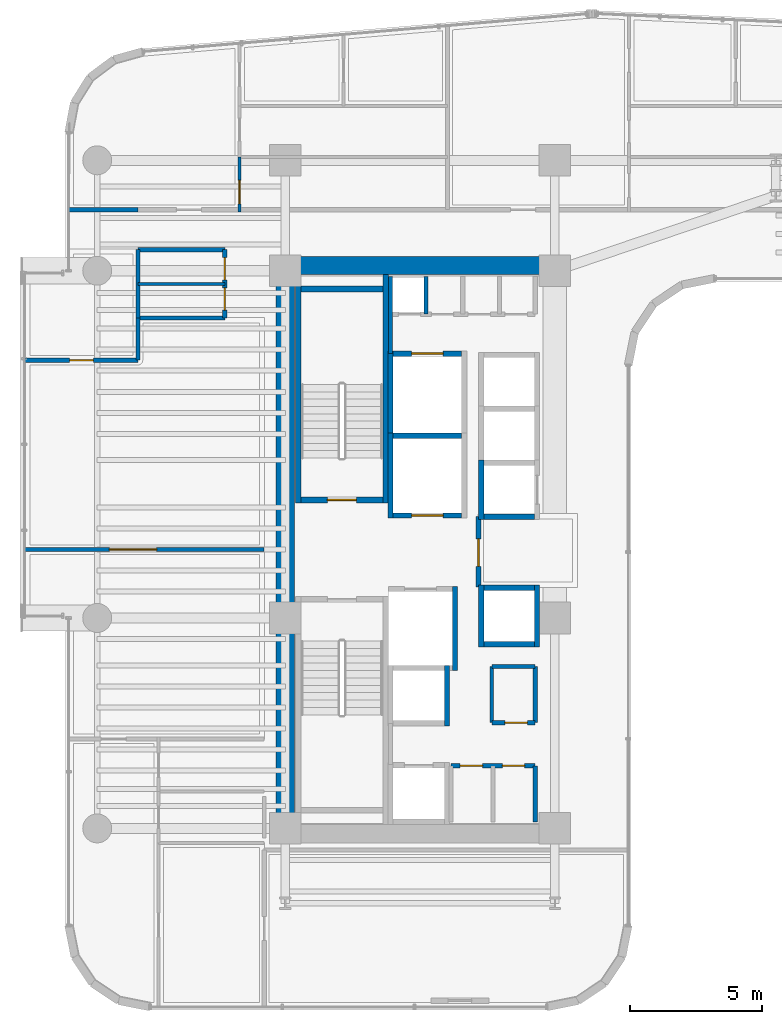
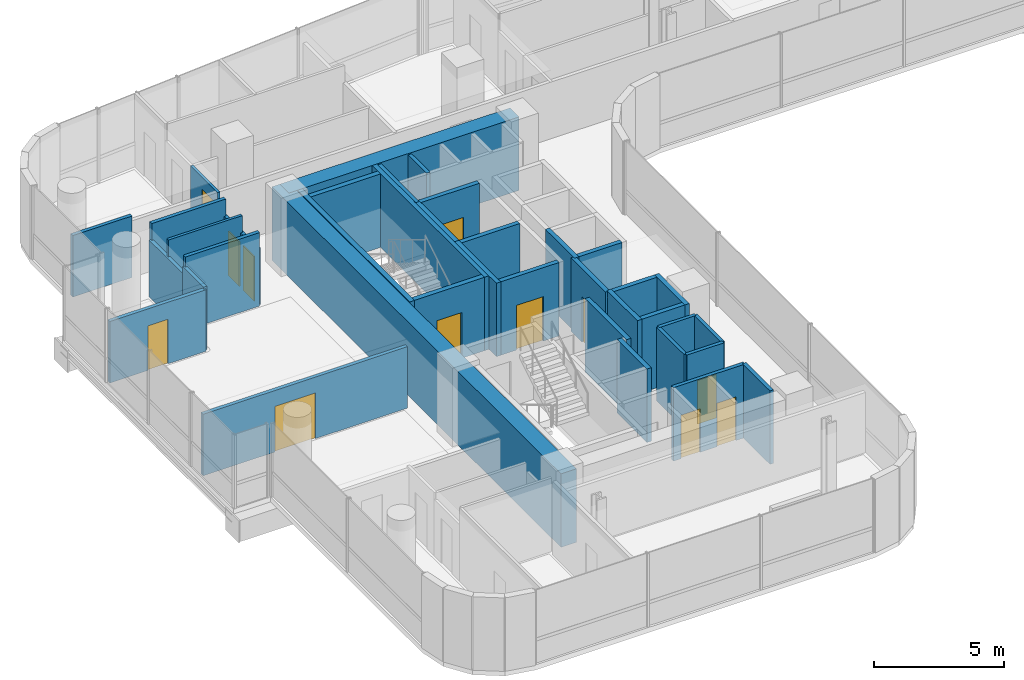
# One storey, part 27 of 36: 38 walls, 12 doors, 12 openings.
"""IFC4 building model written with IfcOpenShell, lengths in metres."""

from ifc_helpers import new_model, si_unit, direction, frame, frame_2d, origin, place, context, subcontext, project, spatial, rectangle, extrude, material, layer, layer_set, type_object, element, fill, save


model = new_model("IFC4")

# Units and contexts
model_context = context("Model", 3, precision=1e-05, world=origin(), true_north=direction((0.0, 1.0)))
body_context = subcontext(model_context, "Body", "Model", "MODEL_VIEW")
ifc_project = project(units=[si_unit("LENGTHUNIT", "METRE"), si_unit("AREAUNIT", "SQUARE_METRE"), si_unit("VOLUMEUNIT", "CUBIC_METRE"), si_unit("PLANEANGLEUNIT", "RADIAN"), si_unit("MASSUNIT", "GRAM", prefix="KILO")], contexts=[model_context])

# Site, building, storey
site_placement = place(None, origin())
site = spatial("IfcSite", under=ifc_project, at=site_placement, CompositionType="ELEMENT")
building_placement = place(site_placement, origin())
building = spatial("IfcBuilding", under=site, at=building_placement, Name="Valdorenza Pilgrim Sanctuary Tower", CompositionType="ELEMENT")
storey_placement = place(building_placement, frame((0.0, 0.0, 109.39990234375)))
storey = spatial("IfcBuildingStorey", under=building, at=storey_placement, Name="L27", CompositionType="ELEMENT", Elevation=109.39990234375)

# Walls
ifc_material_1 = material(Name="Acoustic twin-stud gypsum partition", Category="gypsum")
ifc_layer_1 = layer(ifc_material_1, 0.159912109375, Name="Acoustic twin-stud gypsum partition")
ifc_layer_set_1 = layer_set([ifc_layer_1], Name="Acoustic twin-stud gypsum partition")
wall_type_1 = type_object("IfcWallType", Name="WAL-COR-160", PredefinedType="PARTITIONING", material=ifc_layer_set_1)
wall_1_placement = place(storey_placement, frame((-18.64990234375, 7.449951171875, 0.0), z_axis=(0.0, 0.0, 1.0), x_axis=(0.0, 1.0, 0.0)))
element("IfcWall", 1, at=wall_1_placement, inside=storey, type_object=wall_type_1, Name="L27 Core A North Service West Wall", PredefinedType="PARTITIONING", context=body_context, shape_type="SweptSolid", body=[
    extrude(rectangle(XDim=2.929931640625, YDim=0.159912109375, at=frame_2d((1.46484375, 0.0))), origin(), (0.0, 0.0, 1.0), 3.460205078125),
])
wall_2_placement = place(storey_placement, frame((-17.300048828125, 8.949951171875, 0.0), z_axis=(0.0, 0.0, 1.0), x_axis=(0.0, 1.0, 0.0)))
element("IfcWall", 2, at=wall_2_placement, inside=storey, type_object=wall_type_1, Name="L27 Core Electrical Riser Wall", PredefinedType="PARTITIONING", context=body_context, shape_type="SweptSolid", body=[
    extrude(rectangle(XDim=1.429931640625, YDim=0.159912109375, at=frame_2d((0.71484375, 0.0))), origin(), (0.0, 0.0, 1.0), 3.460205078125),
])

# Wall, openings, doors
wall_3_placement = place(storey_placement, frame((-16.35009765625, -8.219970703125, 0.0), z_axis=(0.0, 0.0, 1.0), x_axis=(1.0, 0.0, 0.0)))
wall_3 = element("IfcWall", 3, at=wall_3_placement, inside=storey, type_object=wall_type_1, Name="L27 Freed Shaft 1 North Wall", PredefinedType="PARTITIONING", context=body_context, shape_type="SweptSolid", body=[
    extrude(rectangle(XDim=3.2001953125, YDim=0.159912109375, at=frame_2d((1.60009765625, 0.0))), origin(), (0.0, 0.0, 1.0), 3.460205078125),
])
opening_1_placement = place(wall_3_placement, frame((0.35009765625, 0.0, 0.0)))
opening_1 = element("IfcOpeningElement", 4, at=opening_1_placement, cuts=wall_3, Name="Opening DR-RS1", PredefinedType="OPENING", context=body_context, shape_type="SweptSolid", body=[
    extrude(rectangle(XDim=0.85009765625, YDim=2.050048828125, at=frame_2d((0.425048828125, 1.02490234375))), frame((0.0, 0.0947265625, 0.0), z_axis=(0.0, -1.0, 0.0), x_axis=(1.0, 0.0, 0.0)), (0.0, 0.0, 1.0), 0.189697265625),
])
opening_2_placement = place(wall_3_placement, frame((1.949951171875, 0.0, 0.0)))
opening_2 = element("IfcOpeningElement", 5, at=opening_2_placement, cuts=wall_3, Name="Opening DR-RS1", PredefinedType="OPENING", context=body_context, shape_type="SweptSolid", body=[
    extrude(rectangle(XDim=0.85009765625, YDim=2.050048828125, at=frame_2d((0.425048828125, 1.02490234375))), frame((0.0, 0.0947265625, 0.0), z_axis=(0.0, -1.0, 0.0), x_axis=(1.0, 0.0, 0.0)), (0.0, 0.0, 1.0), 0.189697265625),
])
ifc_material_2 = material(Name="Painted galvanized steel", Category="steel")
door_type_1 = type_object("IfcDoorType", Name="DR-RSR-850", OperationType="NOTDEFINED", PredefinedType="DOOR", material=ifc_material_2)
door_1_placement = place(opening_1_placement, origin())
door_1 = element("IfcDoor", 6, at=door_1_placement, inside=storey, type_object=door_type_1, Name="L27 Linen Store Door", OperationType="SINGLE_SWING_LEFT", OverallHeight=2.050048828125, OverallWidth=0.85009765625, PredefinedType="DOOR", context=body_context, shape_type="SweptSolid", body=[
    extrude(rectangle(XDim=0.85009765625, YDim=2.050048828125, at=frame_2d((0.425048828125, 1.02490234375))), frame((0.0, 0.02490234375, 0.0), z_axis=(0.0, -1.0, 0.0), x_axis=(1.0, 0.0, 0.0)), (0.0, 0.0, 1.0), 0.050048828125),
])
fill(opening_1, door_1)
door_2_placement = place(opening_2_placement, origin())
door_2 = element("IfcDoor", 7, at=door_2_placement, inside=storey, type_object=door_type_1, Name="L27 Cot Store Door", OperationType="SINGLE_SWING_RIGHT", OverallHeight=2.050048828125, OverallWidth=0.85009765625, PredefinedType="DOOR", context=body_context, shape_type="SweptSolid", body=[
    extrude(rectangle(XDim=0.85009765625, YDim=2.050048828125, at=frame_2d((0.425048828125, 1.02490234375))), frame((0.0, 0.02490234375, 0.0), z_axis=(0.0, -1.0, 0.0), x_axis=(1.0, 0.0, 0.0)), (0.0, 0.0, 1.0), 0.050048828125),
])
fill(opening_2, door_2)

# Wall
wall_4_placement = place(storey_placement, frame((-13.14990234375, -10.35009765625, 0.0), z_axis=(0.0, 0.0, 1.0), x_axis=(0.0, 1.0, 0.0)))
element("IfcWall", 8, at=wall_4_placement, inside=storey, type_object=wall_type_1, Name="L27 Freed Shaft 1 East Wall", PredefinedType="PARTITIONING", context=body_context, shape_type="SweptSolid", body=[
    extrude(rectangle(XDim=2.130126953125, YDim=0.159912109375, at=frame_2d((1.06494140625, 0.0))), origin(), (0.0, 0.0, 1.0), 3.460205078125),
])

# Wall, opening, door
wall_5_placement = place(storey_placement, frame((-14.800048828125, -6.580078125, 0.0), z_axis=(0.0, 0.0, 1.0), x_axis=(1.0, 0.0, 0.0)))
wall_5 = element("IfcWall", 9, at=wall_5_placement, inside=storey, type_object=wall_type_1, Name="L27 Freed Shaft 2 South Wall", PredefinedType="PARTITIONING", context=body_context, shape_type="SweptSolid", body=[
    extrude(rectangle(XDim=1.650146484375, YDim=0.159912109375, at=frame_2d((0.8251953125, 0.0))), origin(), (0.0, 0.0, 1.0), 3.460205078125),
])
opening_3_placement = place(wall_5_placement, frame((0.5, 0.0, 0.0)))
opening_3 = element("IfcOpeningElement", 10, at=opening_3_placement, cuts=wall_5, Name="Opening DR-RS1", PredefinedType="OPENING", context=body_context, shape_type="SweptSolid", body=[
    extrude(rectangle(XDim=0.85009765625, YDim=2.050048828125, at=frame_2d((0.425048828125, 1.02490234375))), frame((0.0, 0.0947265625, 0.0), z_axis=(0.0, -1.0, 0.0), x_axis=(1.0, 0.0, 0.0)), (0.0, 0.0, 1.0), 0.189697265625),
])
door_3_placement = place(opening_3_placement, origin())
door_3 = element("IfcDoor", 11, at=door_3_placement, inside=storey, type_object=door_type_1, Name="L27 Guest Tea Pantry Door", OperationType="SINGLE_SWING_LEFT", OverallHeight=2.050048828125, OverallWidth=0.85009765625, PredefinedType="DOOR", context=body_context, shape_type="SweptSolid", body=[
    extrude(rectangle(XDim=0.85009765625, YDim=2.050048828125, at=frame_2d((0.425048828125, 1.02490234375))), frame((0.0, 0.02490234375, 0.0), z_axis=(0.0, -1.0, 0.0), x_axis=(1.0, 0.0, 0.0)), (0.0, 0.0, 1.0), 0.050048828125),
])
fill(opening_3, door_3)

# Walls
wall_6_placement = place(storey_placement, frame((-13.14990234375, -6.580078125, 0.0), z_axis=(0.0, 0.0, 1.0), x_axis=(0.0, 1.0, 0.0)))
element("IfcWall", 12, at=wall_6_placement, inside=storey, type_object=wall_type_1, Name="L27 Freed Shaft 2 East Wall", PredefinedType="PARTITIONING", context=body_context, shape_type="SweptSolid", body=[
    extrude(rectangle(XDim=2.130126953125, YDim=0.159912109375, at=frame_2d((1.06494140625, 0.0))), origin(), (0.0, 0.0, 1.0), 3.460205078125),
])
wall_7_placement = place(storey_placement, frame((-28.25, 8.800048828125, 0.0), z_axis=(0.0, 0.0, 1.0), x_axis=(0.0, 1.0, 0.0)))
element("IfcWall", 13, at=wall_7_placement, inside=storey, type_object=wall_type_1, Name="L27 Washroom West Wall", PredefinedType="PARTITIONING", context=body_context, shape_type="SweptSolid", body=[
    extrude(rectangle(XDim=2.599853515625, YDim=0.159912109375, at=frame_2d((1.2998046875, 0.0))), origin(), (0.0, 0.0, 1.0), 2.666015625),
])

# Wall, openings, doors
wall_8_placement = place(storey_placement, frame((-24.949951171875, 8.800048828125, 0.0), z_axis=(0.0, 0.0, 1.0), x_axis=(0.0, 1.0, 0.0)))
wall_8 = element("IfcWall", 14, at=wall_8_placement, inside=storey, type_object=wall_type_1, Name="L27 Washroom East Wall", PredefinedType="PARTITIONING", context=body_context, shape_type="SweptSolid", body=[
    extrude(rectangle(XDim=2.599853515625, YDim=0.159912109375, at=frame_2d((1.2998046875, 0.0))), origin(), (0.0, 0.0, 1.0), 2.666015625),
])
opening_4_placement = place(wall_8_placement, frame((0.300048828125, 0.0, 0.0)))
opening_4 = element("IfcOpeningElement", 15, at=opening_4_placement, cuts=wall_8, Name="Opening DR-WC1", PredefinedType="OPENING", context=body_context, shape_type="SweptSolid", body=[
    extrude(rectangle(XDim=0.85009765625, YDim=2.10009765625, at=frame_2d((0.425048828125, 1.050048828125))), frame((0.0, 0.0947265625, 0.0), z_axis=(0.0, -1.0, 0.0), x_axis=(1.0, 0.0, 0.0)), (0.0, 0.0, 1.0), 0.189697265625),
])
opening_5_placement = place(wall_8_placement, frame((1.449951171875, 0.0, 0.0)))
opening_5 = element("IfcOpeningElement", 16, at=opening_5_placement, cuts=wall_8, Name="Opening DR-WC1", PredefinedType="OPENING", context=body_context, shape_type="SweptSolid", body=[
    extrude(rectangle(XDim=0.85009765625, YDim=2.10009765625, at=frame_2d((0.425048828125, 1.050048828125))), frame((0.0, 0.0947265625, 0.0), z_axis=(0.0, -1.0, 0.0), x_axis=(1.0, 0.0, 0.0)), (0.0, 0.0, 1.0), 0.189697265625),
])
ifc_material_3 = material(Name="Moisture-resistant lacquered timber", Category="wood")
door_type_2 = type_object("IfcDoorType", Name="DR-BATH-850", OperationType="NOTDEFINED", PredefinedType="DOOR", material=ifc_material_3)
door_4_placement = place(opening_4_placement, origin())
door_4 = element("IfcDoor", 17, at=door_4_placement, inside=storey, type_object=door_type_2, Name="L27 Accessible Washroom Door", OperationType="SINGLE_SWING_RIGHT", OverallHeight=2.10009765625, OverallWidth=0.85009765625, PredefinedType="DOOR", context=body_context, shape_type="SweptSolid", body=[
    extrude(rectangle(XDim=0.85009765625, YDim=2.10009765625, at=frame_2d((0.425048828125, 1.050048828125))), frame((0.0, 0.02490234375, 0.0), z_axis=(0.0, -1.0, 0.0), x_axis=(1.0, 0.0, 0.0)), (0.0, 0.0, 1.0), 0.050048828125),
])
fill(opening_4, door_4)
door_5_placement = place(opening_5_placement, origin())
door_5 = element("IfcDoor", 18, at=door_5_placement, inside=storey, type_object=door_type_2, Name="L27 Public Washroom Door", OperationType="SINGLE_SWING_LEFT", OverallHeight=2.10009765625, OverallWidth=0.85009765625, PredefinedType="DOOR", context=body_context, shape_type="SweptSolid", body=[
    extrude(rectangle(XDim=0.85009765625, YDim=2.10009765625, at=frame_2d((0.425048828125, 1.050048828125))), frame((0.0, 0.02490234375, 0.0), z_axis=(0.0, -1.0, 0.0), x_axis=(1.0, 0.0, 0.0)), (0.0, 0.0, 1.0), 0.050048828125),
])
fill(opening_5, door_5)

# Walls
for number, where, z_axis, x_axis, name in (
    (19, (-28.25, 8.800048828125, 0.0), (0.0, 0.0, 1.0), (1.0, 0.0, 0.0), "L27 Washroom South Wall"),
    (20, (-28.25, 11.39990234375, 0.0), (0.0, 0.0, 1.0), (1.0, 0.0, 0.0), "L27 Washroom North Wall"),
):
    element("IfcWall", number, at=place(storey_placement, frame(where, z_axis=z_axis, x_axis=x_axis)), inside=storey, type_object=wall_type_1, Name=name, PredefinedType="PARTITIONING", context=body_context, shape_type="SweptSolid", body=[
        extrude(rectangle(XDim=3.300048828125, YDim=0.159912109375, at=frame_2d((1.64990234375, 0.0))), origin(), (0.0, 0.0, 1.0), 3.460205078125),
    ])

# Wall, opening, door
wall_9_placement = place(storey_placement, frame((-32.5400390625, 7.199951171875, 0.0), z_axis=(0.0, 0.0, 1.0), x_axis=(1.0, 0.0, 0.0)))
wall_9 = element("IfcWall", 21, at=wall_9_placement, inside=storey, type_object=wall_type_1, Name="L27 Cloister North Room Wall", PredefinedType="PARTITIONING", context=body_context, shape_type="SweptSolid", body=[
    extrude(rectangle(XDim=4.2900390625, YDim=0.159912109375, at=frame_2d((2.14501953125, 0.0))), origin(), (0.0, 0.0, 1.0), 2.89599609375),
])
opening_6_placement = place(wall_9_placement, frame((1.695068359375, 0.0, 0.0)))
opening_6 = element("IfcOpeningElement", 22, at=opening_6_placement, cuts=wall_9, Name="Opening DR-RM1", PredefinedType="OPENING", context=body_context, shape_type="SweptSolid", body=[
    extrude(rectangle(XDim=0.89990234375, YDim=2.10009765625, at=frame_2d((0.449951171875, 1.050048828125))), frame((0.0, 0.0947265625, 0.0), z_axis=(0.0, -1.0, 0.0), x_axis=(1.0, 0.0, 0.0)), (0.0, 0.0, 1.0), 0.189697265625),
])
ifc_material_4 = material(Name="Solid-core European oak timber", Category="wood")
door_type_3 = type_object("IfcDoorType", Name="DR-ROOM-900", OperationType="NOTDEFINED", PredefinedType="DOOR", material=ifc_material_4)
door_6_placement = place(opening_6_placement, origin())
door_6 = element("IfcDoor", 23, at=door_6_placement, inside=storey, type_object=door_type_3, Name="L27 Pilgrim Scholar Office L27-1 Door", OperationType="SINGLE_SWING_RIGHT", OverallHeight=2.10009765625, OverallWidth=0.89990234375, PredefinedType="DOOR", context=body_context, shape_type="SweptSolid", body=[
    extrude(rectangle(XDim=0.89990234375, YDim=2.10009765625, at=frame_2d((0.449951171875, 1.050048828125))), frame((0.0, 0.02490234375, 0.0), z_axis=(0.0, -1.0, 0.0), x_axis=(1.0, 0.0, 0.0)), (0.0, 0.0, 1.0), 0.050048828125),
])
fill(opening_6, door_6)

# Wall
wall_10_placement = place(storey_placement, frame((-28.25, 7.199951171875, 0.0), z_axis=(0.0, 0.0, 1.0), x_axis=(0.0, 1.0, 0.0)))
element("IfcWall", 24, at=wall_10_placement, inside=storey, type_object=wall_type_1, Name="L27 Cloister NE Closure", PredefinedType="PARTITIONING", context=body_context, shape_type="SweptSolid", body=[
    extrude(rectangle(XDim=1.60009765625, YDim=0.159912109375, at=frame_2d((0.800048828125, 0.0))), origin(), (0.0, 0.0, 1.0), 2.988037109375),
])

# Wall, opening, door
wall_11_placement = place(storey_placement, frame((-32.5400390625, 0.0, 0.0), z_axis=(0.0, 0.0, 1.0), x_axis=(1.0, 0.0, 0.0)))
wall_11 = element("IfcWall", 25, at=wall_11_placement, inside=storey, type_object=wall_type_1, Name="L27 Cloister Mid Wall", PredefinedType="PARTITIONING", context=body_context, shape_type="SweptSolid", body=[
    extrude(rectangle(XDim=9.090087890625, YDim=0.159912109375, at=frame_2d((4.544921875, 0.0))), origin(), (0.0, 0.0, 1.0), 2.89599609375),
])
opening_7_placement = place(wall_11_placement, frame((3.199951171875, 0.0, 0.0)))
opening_7 = element("IfcOpeningElement", 26, at=opening_7_placement, cuts=wall_11, Name="Opening DR-HL1", PredefinedType="OPENING", context=body_context, shape_type="SweptSolid", body=[
    extrude(rectangle(XDim=1.800048828125, YDim=2.14990234375, at=frame_2d((0.89990234375, 1.074951171875))), frame((0.0, 0.0947265625, 0.0), z_axis=(0.0, -1.0, 0.0), x_axis=(1.0, 0.0, 0.0)), (0.0, 0.0, 1.0), 0.189697265625),
])
ifc_material_5 = material(Name="Acoustic oak and vision-glass double door", Category="glass")
door_type_4 = type_object("IfcDoorType", Name="DR-HALL-1800", OperationType="NOTDEFINED", PredefinedType="DOOR", material=ifc_material_5)
door_7_placement = place(opening_7_placement, frame((1.800048828125, 0.0, 0.0), z_axis=(0.0, 0.0, 1.0), x_axis=(-1.0, 0.0, 0.0)))
door_7 = element("IfcDoor", 27, at=door_7_placement, inside=storey, type_object=door_type_4, Name="L27 Cloister Mid Double Door", OperationType="DOUBLE_DOOR_SINGLE_SWING", OverallHeight=2.14990234375, OverallWidth=1.800048828125, PredefinedType="DOOR", context=body_context, shape_type="SweptSolid", body=[
    extrude(rectangle(XDim=1.800048828125, YDim=2.14990234375, at=frame_2d((0.89990234375, 1.074951171875))), frame((0.0, 0.02490234375, 0.0), z_axis=(0.0, -1.0, 0.0), x_axis=(1.0, 0.0, 0.0)), (0.0, 0.0, 1.0), 0.050048828125),
])
fill(opening_7, door_7)

# Walls
wall_12_placement = place(storey_placement, frame((-30.889892578125, 12.919921875, 0.0), z_axis=(0.0, 0.0, 1.0), x_axis=(1.0, 0.0, 0.0)))
element("IfcWall", 28, at=wall_12_placement, inside=storey, type_object=wall_type_1, Name="L27 Cloister North Solid Partition", PredefinedType="PARTITIONING", context=body_context, shape_type="SweptSolid", body=[
    extrude(rectangle(XDim=2.639892578125, YDim=0.159912109375, at=frame_2d((1.31982421875, 0.0))), origin(), (0.0, 0.0, 1.0), 2.89599609375),
])
ifc_material_6 = material(Name="Concrete C60/75", Category="concrete")
ifc_layer_2 = layer(ifc_material_6, 0.699951171875, Name="Concrete C60/75")
ifc_layer_set_2 = layer_set([ifc_layer_2], Name="Concrete C60/75")
wall_type_2 = type_object("IfcWallType", Name="WAL-COR-700", PredefinedType="SHEAR", material=ifc_layer_set_2)
wall_13_placement = place(storey_placement, frame((-22.64990234375, -11.14990234375, 0.0), z_axis=(0.0, 0.0, 1.0), x_axis=(0.0, 1.0, 0.0)))
element("IfcWall", 29, at=wall_13_placement, inside=storey, type_object=wall_type_2, Name="L27 Split Core A Shear Wall W", PredefinedType="SHEAR", context=body_context, shape_type="SweptSolid", body=[
    extrude(rectangle(XDim=22.2998046875, YDim=0.699951171875, at=frame_2d((11.14990234375, 0.0))), origin(), (0.0, 0.0, 1.0), 3.460205078125),
])
wall_14_placement = place(storey_placement, frame((-22.64990234375, 10.800048828125, 0.0), z_axis=(0.0, 0.0, 1.0), x_axis=(1.0, 0.0, 0.0)))
element("IfcWall", 30, at=wall_14_placement, inside=storey, type_object=wall_type_2, Name="L27 Split Core A Shear Wall N", PredefinedType="SHEAR", context=body_context, shape_type="SweptSolid", body=[
    extrude(rectangle(XDim=10.25, YDim=0.699951171875, at=frame_2d((5.125, 0.0))), origin(), (0.0, 0.0, 1.0), 3.460205078125),
])

# Wall, opening, door
ifc_material_7 = material(Name="Gypsum shaftwall partition", Category="gypsum")
ifc_layer_3 = layer(ifc_material_7, 0.199951171875, Name="Gypsum shaftwall partition")
ifc_layer_set_3 = layer_set([ifc_layer_3], Name="Gypsum shaftwall partition")
wall_type_3 = type_object("IfcWallType", Name="WAL-FFL-200", PredefinedType="PARTITIONING", material=ifc_layer_set_3)
wall_15_placement = place(storey_placement, frame((-15.300048828125, -1.419921875, 0.0), z_axis=(0.0, 0.0, 1.0), x_axis=(0.0, 1.0, 0.0)))
wall_15 = element("IfcWall", 31, at=wall_15_placement, inside=storey, type_object=wall_type_3, Name="L27 Core A Firefighting Lobby East Wall", PredefinedType="PARTITIONING", context=body_context, shape_type="SweptSolid", body=[
    extrude(rectangle(XDim=2.669921875, YDim=0.199951171875, at=frame_2d((1.3349609375, 0.0))), origin(), (0.0, 0.0, 1.0), 3.460205078125),
])
opening_8_placement = place(wall_15_placement, frame((0.780029296875, 0.0, 0.0)))
opening_8 = element("IfcOpeningElement", 32, at=opening_8_placement, cuts=wall_15, Name="Opening DR-FL1", PredefinedType="OPENING", context=body_context, shape_type="SweptSolid", body=[
    extrude(rectangle(XDim=1.050048828125, YDim=2.14990234375, at=frame_2d((0.52490234375, 1.074951171875))), frame((0.0, 0.11474609375, 0.0), z_axis=(0.0, -1.0, 0.0), x_axis=(1.0, 0.0, 0.0)), (0.0, 0.0, 1.0), 0.229736328125),
])
door_type_5 = type_object("IfcDoorType", Name="DR-FFL-1050", OperationType="NOTDEFINED", PredefinedType="DOOR", material=ifc_material_2)
door_8_placement = place(opening_8_placement, origin())
door_8 = element("IfcDoor", 33, at=door_8_placement, inside=storey, type_object=door_type_5, Name="L27 Core A Firefighting Lobby Door", OperationType="SINGLE_SWING_RIGHT", OverallHeight=2.14990234375, OverallWidth=1.050048828125, PredefinedType="DOOR", context=body_context, shape_type="SweptSolid", body=[
    extrude(rectangle(XDim=1.050048828125, YDim=2.14990234375, at=frame_2d((0.52490234375, 1.074951171875))), frame((0.0, 0.02490234375, 0.0), z_axis=(0.0, -1.0, 0.0), x_axis=(1.0, 0.0, 0.0)), (0.0, 0.0, 1.0), 0.050048828125),
])
fill(opening_8, door_8)

# Wall
ifc_material_8 = material(Name="Moisture-resistant gypsum partition", Category="gypsum")
ifc_layer_4 = layer(ifc_material_8, 0.1201171875, Name="Moisture-resistant gypsum partition")
ifc_layer_set_4 = layer_set([ifc_layer_4], Name="Moisture-resistant gypsum partition")
wall_type_4 = type_object("IfcWallType", Name="WAL-INT-120", PredefinedType="PARTITIONING", material=ifc_layer_set_4)
wall_16_placement = place(storey_placement, frame((-28.25, 10.10009765625, 0.0), z_axis=(0.0, 0.0, 1.0), x_axis=(1.0, 0.0, 0.0)))
element("IfcWall", 34, at=wall_16_placement, inside=storey, type_object=wall_type_4, Name="L27 Washroom Divider Wall", PredefinedType="PARTITIONING", context=body_context, shape_type="SweptSolid", body=[
    extrude(rectangle(XDim=3.300048828125, YDim=0.1201171875, at=frame_2d((1.64990234375, 0.0))), origin(), (0.0, 0.0, 1.0), 3.460205078125),
])

# Wall, opening, door
wall_17_placement = place(storey_placement, frame((-24.38720703125, 12.840087890625, 0.0), z_axis=(0.0, 0.0, 1.0), x_axis=(0.0, 1.0, 0.0)))
wall_17 = element("IfcWall", 35, at=wall_17_placement, inside=storey, type_object=wall_type_4, Name="L27 North Family Flat L27-N1 Kitchen Door Wall", PredefinedType="PARTITIONING", context=body_context, shape_type="SweptSolid", body=[
    extrude(rectangle(XDim=2.079833984375, YDim=0.1201171875, at=frame_2d((1.0400390625, 0.0))), origin(), (0.0, 0.0, 1.0), 2.666015625),
])
opening_9_placement = place(wall_17_placement, frame((0.300048828125, 0.0, 0.0)))
opening_9 = element("IfcOpeningElement", 36, at=opening_9_placement, cuts=wall_17, Name="Opening DR-RM1", PredefinedType="OPENING", context=body_context, shape_type="SweptSolid", body=[
    extrude(rectangle(XDim=0.89990234375, YDim=2.10009765625, at=frame_2d((0.449951171875, 1.050048828125))), frame((0.0, 0.074951171875, 0.0), z_axis=(0.0, -1.0, 0.0), x_axis=(1.0, 0.0, 0.0)), (0.0, 0.0, 1.0), 0.14990234375),
])
door_9_placement = place(opening_9_placement, origin())
door_9 = element("IfcDoor", 37, at=door_9_placement, inside=storey, type_object=door_type_3, Name="L27 North Family Flat L27-N1 Kitchen Door", OperationType="SINGLE_SWING_LEFT", OverallHeight=2.10009765625, OverallWidth=0.89990234375, PredefinedType="DOOR", context=body_context, shape_type="SweptSolid", body=[
    extrude(rectangle(XDim=0.89990234375, YDim=2.10009765625, at=frame_2d((0.449951171875, 1.050048828125))), frame((0.0, 0.02490234375, 0.0), z_axis=(0.0, -1.0, 0.0), x_axis=(1.0, 0.0, 0.0)), (0.0, 0.0, 1.0), 0.050048828125),
])
fill(opening_9, door_9)

# Wall
ifc_material_9 = material(Name="Autoclaved aerated concrete blockwork", Category="masonry")
ifc_layer_5 = layer(ifc_material_9, 0.199951171875, Name="Autoclaved aerated concrete blockwork")
ifc_layer_set_5 = layer_set([ifc_layer_5], Name="Autoclaved aerated concrete blockwork")
wall_type_5 = type_object("IfcWallType", Name="WAL-SHF-200", PredefinedType="MOVABLE", material=ifc_layer_set_5)
wall_18_placement = place(storey_placement, frame((-18.64990234375, 1.199951171875, 0.0), z_axis=(0.0, 0.0, 1.0), x_axis=(0.0, 1.0, 0.0)))
element("IfcWall", 38, at=wall_18_placement, inside=storey, type_object=wall_type_5, Name="L27 Lift FFL-01 Hoistway Wall West", PredefinedType="MOVABLE", context=body_context, shape_type="SweptSolid", body=[
    extrude(rectangle(XDim=3.22509765625, YDim=0.199951171875, at=frame_2d((1.612548828125, 0.0))), origin(), (0.0, 0.0, 1.0), 3.460205078125),
])

# Wall, opening, door
wall_19_placement = place(storey_placement, frame((-18.550048828125, 1.300048828125, 0.0), z_axis=(0.0, 0.0, 1.0), x_axis=(1.0, 0.0, 0.0)))
wall_19 = element("IfcWall", 39, at=wall_19_placement, inside=storey, type_object=wall_type_5, Name="L27 Lift FFL-01 Hoistway Wall South", PredefinedType="MOVABLE", context=body_context, shape_type="SweptSolid", body=[
    extrude(rectangle(XDim=2.60009765625, YDim=0.199951171875, at=frame_2d((1.300048828125, 0.0))), origin(), (0.0, 0.0, 1.0), 3.460205078125),
])
opening_10_placement = place(wall_19_placement, frame((0.699951171875, 0.0, 0.0)))
opening_10 = element("IfcOpeningElement", 40, at=opening_10_placement, cuts=wall_19, Name="Opening LD-02", PredefinedType="OPENING", context=body_context, shape_type="SweptSolid", body=[
    extrude(rectangle(XDim=1.199951171875, YDim=2.10009765625, at=frame_2d((0.60009765625, 1.050048828125))), frame((0.0, 0.11474609375, 0.0), z_axis=(0.0, -1.0, 0.0), x_axis=(1.0, 0.0, 0.0)), (0.0, 0.0, 1.0), 0.229736328125),
])
ifc_material_10 = material(Name="Brushed stainless steel Grade 316", Category="steel")
door_type_6 = type_object("IfcDoorType", Name="DR-LFT-1200", OperationType="DOUBLE_DOOR_SLIDING", PredefinedType="DOOR", material=ifc_material_10)
door_10_placement = place(opening_10_placement, origin())
door_10 = element("IfcDoor", 41, at=door_10_placement, inside=storey, type_object=door_type_6, Name="L27 Lift FFL-01 Sliding Landing Door", OperationType="DOUBLE_DOOR_SLIDING", OverallHeight=2.10009765625, OverallWidth=1.199951171875, PredefinedType="DOOR", context=body_context, shape_type="SweptSolid", body=[
    extrude(rectangle(XDim=1.199951171875, YDim=2.10009765625, at=frame_2d((0.60009765625, 1.050048828125))), frame((0.0, 0.02490234375, 0.0), z_axis=(0.0, -1.0, 0.0), x_axis=(1.0, 0.0, 0.0)), (0.0, 0.0, 1.0), 0.050048828125),
])
fill(opening_10, door_10)

# Walls
wall_20_placement = place(storey_placement, frame((-18.550048828125, 4.324951171875, 0.0), z_axis=(0.0, 0.0, 1.0), x_axis=(1.0, 0.0, 0.0)))
element("IfcWall", 42, at=wall_20_placement, inside=storey, type_object=wall_type_5, Name="L27 Lift FFL-01 Hoistway Wall North", PredefinedType="MOVABLE", context=body_context, shape_type="SweptSolid", body=[
    extrude(rectangle(XDim=2.60009765625, YDim=0.199951171875, at=frame_2d((1.300048828125, 0.0))), origin(), (0.0, 0.0, 1.0), 3.460205078125),
])
wall_21_placement = place(storey_placement, frame((-16.199951171875, -4.60009765625, 0.0), z_axis=(0.0, 0.0, 1.0), x_axis=(0.0, 1.0, 0.0)))
element("IfcWall", 43, at=wall_21_placement, inside=storey, type_object=wall_type_5, Name="L27 Lift FFL-02 Hoistway Wall East", PredefinedType="MOVABLE", context=body_context, shape_type="SweptSolid", body=[
    extrude(rectangle(XDim=3.2001953125, YDim=0.199951171875, at=frame_2d((1.60009765625, 0.0))), origin(), (0.0, 0.0, 1.0), 3.460205078125),
])
wall_22_placement = place(storey_placement, frame((-18.64990234375, 4.22509765625, 0.0), z_axis=(0.0, 0.0, 1.0), x_axis=(0.0, 1.0, 0.0)))
element("IfcWall", 44, at=wall_22_placement, inside=storey, type_object=wall_type_5, Name="L27 Lift SVL-01 Hoistway Wall West", PredefinedType="MOVABLE", context=body_context, shape_type="SweptSolid", body=[
    extrude(rectangle(XDim=3.324951171875, YDim=0.199951171875, at=frame_2d((1.66259765625, 0.0))), origin(), (0.0, 0.0, 1.0), 3.460205078125),
])

# Wall, opening, door
wall_23_placement = place(storey_placement, frame((-18.550048828125, 7.449951171875, 0.0), z_axis=(0.0, 0.0, 1.0), x_axis=(1.0, 0.0, 0.0)))
wall_23 = element("IfcWall", 45, at=wall_23_placement, inside=storey, type_object=wall_type_5, Name="L27 Lift SVL-01 Hoistway Wall North", PredefinedType="MOVABLE", context=body_context, shape_type="SweptSolid", body=[
    extrude(rectangle(XDim=2.60009765625, YDim=0.199951171875, at=frame_2d((1.300048828125, 0.0))), origin(), (0.0, 0.0, 1.0), 3.460205078125),
])
opening_11_placement = place(wall_23_placement, frame((0.699951171875, 0.0, 0.0)))
opening_11 = element("IfcOpeningElement", 46, at=opening_11_placement, cuts=wall_23, Name="Opening LD-02", PredefinedType="OPENING", context=body_context, shape_type="SweptSolid", body=[
    extrude(rectangle(XDim=1.199951171875, YDim=2.10009765625, at=frame_2d((0.60009765625, 1.050048828125))), frame((0.0, 0.11474609375, 0.0), z_axis=(0.0, -1.0, 0.0), x_axis=(1.0, 0.0, 0.0)), (0.0, 0.0, 1.0), 0.229736328125),
])
door_11_placement = place(opening_11_placement, origin())
door_11 = element("IfcDoor", 47, at=door_11_placement, inside=storey, type_object=door_type_6, Name="L27 Lift SVL-01 Sliding Landing Door", OperationType="DOUBLE_DOOR_SLIDING", OverallHeight=2.10009765625, OverallWidth=1.199951171875, PredefinedType="DOOR", context=body_context, shape_type="SweptSolid", body=[
    extrude(rectangle(XDim=1.199951171875, YDim=2.10009765625, at=frame_2d((0.60009765625, 1.050048828125))), frame((0.0, 0.02490234375, 0.0), z_axis=(0.0, -1.0, 0.0), x_axis=(1.0, 0.0, 0.0)), (0.0, 0.0, 1.0), 0.050048828125),
])
fill(opening_11, door_11)

# Walls
wall_24_placement = place(storey_placement, frame((-15.199951171875, 1.14990234375, 0.0), z_axis=(0.0, 0.0, 1.0), x_axis=(0.0, 1.0, 0.0)))
element("IfcWall", 48, at=wall_24_placement, inside=storey, type_object=wall_type_5, Name="L27 Lift PL-06 Hoistway Wall West", PredefinedType="MOVABLE", context=body_context, shape_type="SweptSolid", body=[
    extrude(rectangle(XDim=2.25, YDim=0.199951171875, at=frame_2d((1.125, 0.0))), origin(), (0.0, 0.0, 1.0), 3.460205078125),
])
wall_25_placement = place(storey_placement, frame((-15.10009765625, 1.25, 0.0), z_axis=(0.0, 0.0, 1.0), x_axis=(1.0, 0.0, 0.0)))
element("IfcWall", 49, at=wall_25_placement, inside=storey, type_object=wall_type_5, Name="L27 Lift PL-06 Hoistway Wall South", PredefinedType="MOVABLE", context=body_context, shape_type="SweptSolid", body=[
    extrude(rectangle(XDim=1.920166015625, YDim=0.199951171875, at=frame_2d((0.9599609375, 0.0))), origin(), (0.0, 0.0, 1.0), 3.460205078125),
])
wall_26_placement = place(storey_placement, frame((-16.5, -6.699951171875, 0.0), z_axis=(0.0, 0.0, 1.0), x_axis=(0.0, 1.0, 0.0)))
element("IfcWall", 50, at=wall_26_placement, inside=storey, type_object=wall_type_5, Name="L27 Lift PL-11 Hoistway Wall East", PredefinedType="MOVABLE", context=body_context, shape_type="SweptSolid", body=[
    extrude(rectangle(XDim=2.300048828125, YDim=0.199951171875, at=frame_2d((1.14990234375, 0.0))), origin(), (0.0, 0.0, 1.0), 3.460205078125),
])
for number, where, z_axis, x_axis, name in (
    (51, (-15.199951171875, -3.699951171875, 0.0), (0.0, 0.0, 1.0), (0.0, 1.0, 0.0), "L27 Lift PL-12 Hoistway Wall West"),
    (52, (-13.080078125, -3.699951171875, 0.0), (0.0, 0.0, 1.0), (0.0, 1.0, 0.0), "L27 Lift PL-12 Hoistway Wall East"),
):
    element("IfcWall", number, at=place(storey_placement, frame(where, z_axis=z_axis, x_axis=x_axis)), inside=storey, type_object=wall_type_5, Name=name, PredefinedType="MOVABLE", context=body_context, shape_type="SweptSolid", body=[
        extrude(rectangle(XDim=2.349853515625, YDim=0.199951171875, at=frame_2d((1.1748046875, 0.0))), origin(), (0.0, 0.0, 1.0), 3.460205078125),
    ])
for number, where, z_axis, x_axis, name in (
    (53, (-15.10009765625, -3.60009765625, 0.0), (0.0, 0.0, 1.0), (1.0, 0.0, 0.0), "L27 Lift PL-12 Hoistway Wall South"),
    (54, (-15.10009765625, -1.449951171875, 0.0), (0.0, 0.0, 1.0), (1.0, 0.0, 0.0), "L27 Lift PL-12 Hoistway Wall North"),
):
    element("IfcWall", number, at=place(storey_placement, frame(where, z_axis=z_axis, x_axis=x_axis)), inside=storey, type_object=wall_type_5, Name=name, PredefinedType="MOVABLE", context=body_context, shape_type="SweptSolid", body=[
        extrude(rectangle(XDim=1.920166015625, YDim=0.199951171875, at=frame_2d((0.9599609375, 0.0))), origin(), (0.0, 0.0, 1.0), 3.460205078125),
    ])
ifc_material_11 = material(Name="Concrete C40/50", Category="concrete")
ifc_layer_6 = layer(ifc_material_11, 0.219970703125, Name="Concrete C40/50")
ifc_layer_set_6 = layer_set([ifc_layer_6], Name="Concrete C40/50")
wall_type_6 = type_object("IfcWallType", Name="WAL-STR-SHF-220", PredefinedType="SHEAR", material=ifc_layer_set_6)
for number, where, z_axis, x_axis, name in (
    (55, (-22.159912109375, 1.780029296875, 0.0), (0.0, 0.0, 1.0), (0.0, 1.0, 0.0), "L27 ST-A1 Structural Stairwell Wall W"),
    (56, (-18.830078125, 1.780029296875, 0.0), (0.0, 0.0, 1.0), (0.0, 1.0, 0.0), "L27 ST-A1 Structural Stairwell Wall E"),
):
    element("IfcWall", number, at=place(storey_placement, frame(where, z_axis=z_axis, x_axis=x_axis)), inside=storey, type_object=wall_type_6, Name=name, PredefinedType="SHEAR", context=body_context, shape_type="SweptSolid", body=[
        extrude(rectangle(XDim=8.669921875, YDim=0.219970703125, at=frame_2d((4.3349609375, 0.0))), origin(), (0.0, 0.0, 1.0), 3.460205078125),
    ])

# Wall, opening, door
wall_27_placement = place(storey_placement, frame((-22.050048828125, 1.889892578125, 0.0), z_axis=(0.0, 0.0, 1.0), x_axis=(1.0, 0.0, 0.0)))
wall_27 = element("IfcWall", 57, at=wall_27_placement, inside=storey, type_object=wall_type_6, Name="L27 ST-A1 Structural Stairwell Wall S", PredefinedType="SHEAR", context=body_context, shape_type="SweptSolid", body=[
    extrude(rectangle(XDim=3.110107421875, YDim=0.219970703125, at=frame_2d((1.55517578125, 0.0))), origin(), (0.0, 0.0, 1.0), 3.460205078125),
])
opening_12_placement = place(wall_27_placement, frame((1.0, 0.0, 0.0)))
opening_12 = element("IfcOpeningElement", 58, at=opening_12_placement, cuts=wall_27, Name="Opening DR-ST1", PredefinedType="OPENING", context=body_context, shape_type="SweptSolid", body=[
    extrude(rectangle(XDim=1.10009765625, YDim=2.14990234375, at=frame_2d((0.550048828125, 1.074951171875))), frame((0.0, 0.125, 0.0), z_axis=(0.0, -1.0, 0.0), x_axis=(1.0, 0.0, 0.0)), (0.0, 0.0, 1.0), 0.249755859375),
])
door_type_7 = type_object("IfcDoorType", Name="DR-STAIR-1100", OperationType="NOTDEFINED", PredefinedType="DOOR", material=ifc_material_2)
door_12_placement = place(opening_12_placement, frame((1.10009765625, 0.0, 0.0), z_axis=(0.0, 0.0, 1.0), x_axis=(-1.0, 0.0, 0.0)))
door_12 = element("IfcDoor", 59, at=door_12_placement, inside=storey, type_object=door_type_7, Name="L27 Exit Stair ST-A1 Door", OperationType="SINGLE_SWING_LEFT", OverallHeight=2.14990234375, OverallWidth=1.10009765625, PredefinedType="DOOR", context=body_context, shape_type="SweptSolid", body=[
    extrude(rectangle(XDim=1.10009765625, YDim=2.14990234375, at=frame_2d((0.550048828125, 1.074951171875))), frame((0.0, 0.02490234375, 0.0), z_axis=(0.0, -1.0, 0.0), x_axis=(1.0, 0.0, 0.0)), (0.0, 0.0, 1.0), 0.050048828125),
])
fill(opening_12, door_12)

# Walls
wall_28_placement = place(storey_placement, frame((-22.050048828125, 9.909912109375, 0.0), z_axis=(0.0, 0.0, 1.0), x_axis=(1.0, 0.0, 0.0)))
element("IfcWall", 60, at=wall_28_placement, inside=storey, type_object=wall_type_6, Name="L27 ST-A1 Structural Stairwell Wall N", PredefinedType="SHEAR", context=body_context, shape_type="SweptSolid", body=[
    extrude(rectangle(XDim=3.110107421875, YDim=0.219970703125, at=frame_2d((1.55517578125, 0.0))), origin(), (0.0, 0.0, 1.0), 3.460205078125),
])
ifc_layer_7 = layer(ifc_material_1, 0.14990234375, Name="Acoustic twin-stud gypsum partition")
ifc_layer_set_7 = layer_set([ifc_layer_7], Name="Acoustic twin-stud gypsum partition")
wall_type_7 = type_object("IfcWallType", Name="WAL-UNT-150", PredefinedType="PARTITIONING", material=ifc_layer_set_7)
wall_29_placement = place(storey_placement, frame((-14.800048828125, -6.580078125, 0.0), z_axis=(0.0, 0.0, 1.0), x_axis=(0.0, 1.0, 0.0)))
element("IfcWall", 61, at=wall_29_placement, inside=storey, type_object=wall_type_7, Name="L27 Freed Shaft 2 West Wall", PredefinedType="PARTITIONING", context=body_context, shape_type="SweptSolid", body=[
    extrude(rectangle(XDim=2.130126953125, YDim=0.14990234375, at=frame_2d((1.06494140625, 0.0))), origin(), (0.0, 0.0, 1.0), 3.460205078125),
])
wall_30_placement = place(storey_placement, frame((-14.800048828125, -4.449951171875, 0.0), z_axis=(0.0, 0.0, 1.0), x_axis=(1.0, 0.0, 0.0)))
element("IfcWall", 62, at=wall_30_placement, inside=storey, type_object=wall_type_7, Name="L27 Freed Shaft 2 North Wall", PredefinedType="PARTITIONING", context=body_context, shape_type="SweptSolid", body=[
    extrude(rectangle(XDim=1.650146484375, YDim=0.14990234375, at=frame_2d((0.8251953125, 0.0))), origin(), (0.0, 0.0, 1.0), 3.460205078125),
])

save(model, "model.ifc")
